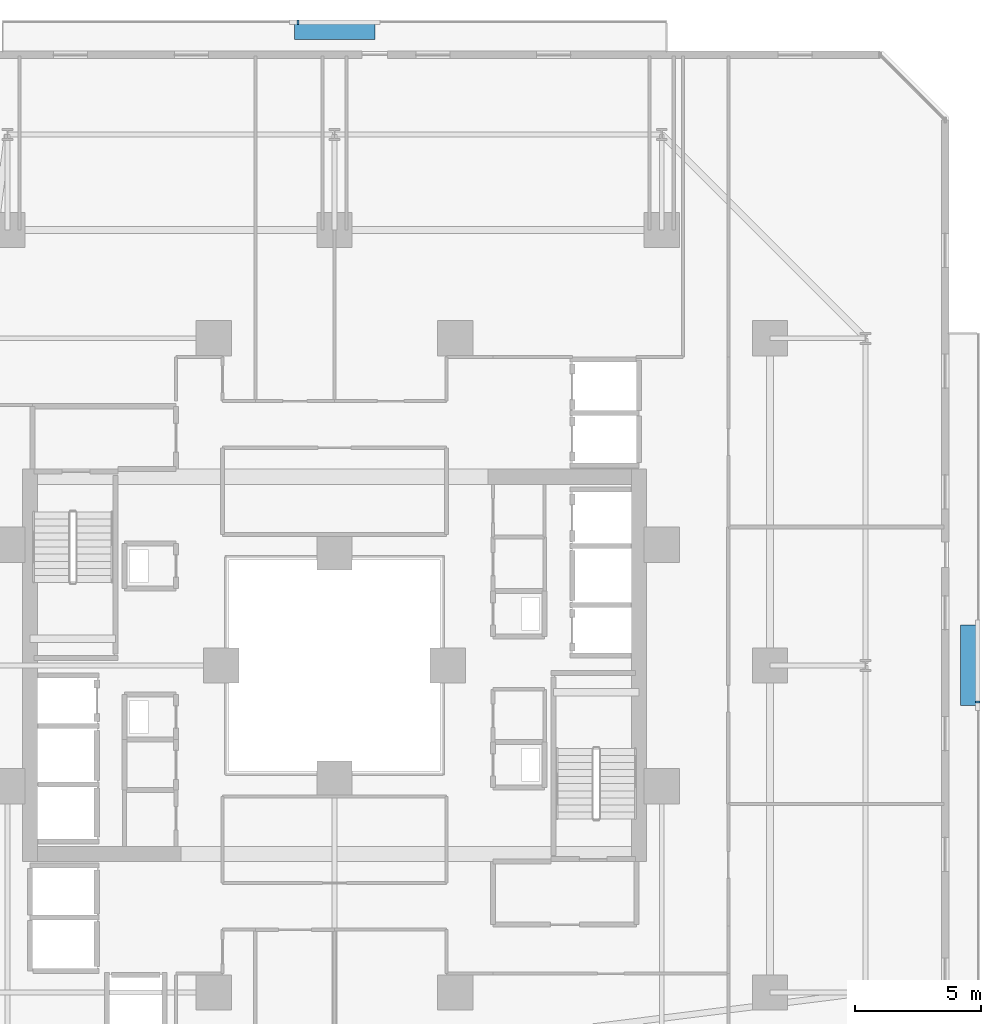
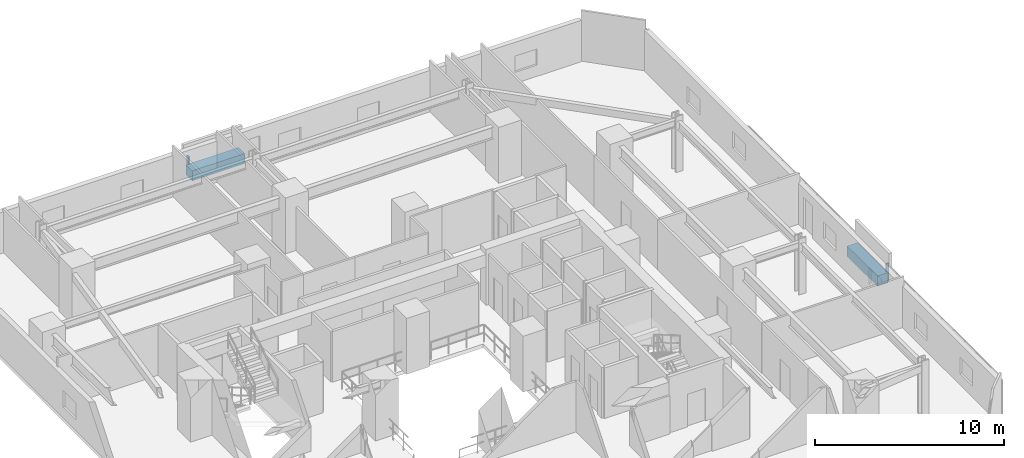
# One storey, part 32 of 36: 4 discrete accessories.
"""IFC4 building model written with IfcOpenShell, lengths in metres."""

from ifc_helpers import new_model, si_unit, direction, frame, origin, origin_2d, place, context, subcontext, project, spatial, rectangle, extrude, material, type_object, element, save


model = new_model("IFC4")

# Units and contexts
model_context = context("Model", 3, precision=1e-05, world=origin(), true_north=direction((0.0, 1.0)))
body_context = subcontext(model_context, "Body", "Model", "MODEL_VIEW")
ifc_project = project(units=[si_unit("LENGTHUNIT", "METRE"), si_unit("AREAUNIT", "SQUARE_METRE"), si_unit("VOLUMEUNIT", "CUBIC_METRE"), si_unit("PLANEANGLEUNIT", "RADIAN"), si_unit("MASSUNIT", "GRAM", prefix="KILO")], contexts=[model_context])

# Site, building, storey
site_placement = place(None, origin())
site = spatial("IfcSite", under=ifc_project, at=site_placement, CompositionType="ELEMENT")
building_placement = place(site_placement, origin())
building = spatial("IfcBuilding", under=site, at=building_placement, Name="Thornwick Lancets Civic Towers", CompositionType="ELEMENT")
storey_placement = place(building_placement, frame((0.0, 0.0, 68.10009765625)))
storey = spatial("IfcBuildingStorey", under=building, at=storey_placement, Name="L17", CompositionType="ELEMENT", Elevation=68.10009765625)

# Discrete accessories
ifc_material_1 = material(Name="Planted terracotta greenery planter", Category="masonry")
discrete_accessory_type_1 = type_object("IfcDiscreteAccessoryType", Name="ACC_PLANTER_BOX", PredefinedType="USERDEFINED", material=ifc_material_1)
discrete_accessory_1_placement = place(storey_placement, frame((113.699951171875, 27.0, 0.0), z_axis=(0.0, 0.0, 1.0), x_axis=(1.0, 0.0, 0.0)))
element("IfcDiscreteAccessory", 1, at=discrete_accessory_1_placement, inside=storey, type_object=discrete_accessory_type_1, Name="L17 Tower B Balcony Greenery Planter E", ObjectType="PLANTER", PredefinedType="USERDEFINED", context=body_context, shape_type="SweptSolid", body=[
    extrude(rectangle(XDim=0.64990234375, YDim=3.199951171875, at=origin_2d()), origin(), (0.0, 0.0, 1.0), 0.64990234375),
])
discrete_accessory_2_placement = place(storey_placement, frame((88.5, 52.199951171875, 0.0), z_axis=(0.0, 0.0, 1.0), x_axis=(1.0, 0.0, 0.0)))
element("IfcDiscreteAccessory", 2, at=discrete_accessory_2_placement, inside=storey, type_object=discrete_accessory_type_1, Name="L17 Tower B Balcony Greenery Planter N", ObjectType="PLANTER", PredefinedType="USERDEFINED", context=body_context, shape_type="SweptSolid", body=[
    extrude(rectangle(XDim=3.199951171875, YDim=0.64990234375, at=origin_2d()), origin(), (0.0, 0.0, 1.0), 0.64990234375),
])
ifc_material_2 = material(Name="Stainless steel S355", Category="steel")
discrete_accessory_type_2 = type_object("IfcDiscreteAccessoryType", Name="ACC_SCREEN_BRACKET", PredefinedType="BRACKET", material=ifc_material_2)
for number, where, z_axis, x_axis, name in (
    (3, (114.06005859375, 25.550048828125, 0.0), (0.0, 0.0, 1.0), (0.0, 1.0, 0.0), "L17 Tower B Balcony Screen Stanchion Bracket E-1"),
    (4, (87.050048828125, 52.56005859375, 0.0), (0.0, 0.0, 1.0), (1.0, 0.0, 0.0), "L17 Tower B Balcony Screen Stanchion Bracket N-1"),
):
    element("IfcDiscreteAccessory", number, at=place(storey_placement, frame(where, z_axis=z_axis, x_axis=x_axis)), inside=storey, type_object=discrete_accessory_type_2, Name=name, PredefinedType="BRACKET", context=body_context, shape_type="SweptSolid", body=[
        extrude(rectangle(XDim=0.080078125, YDim=0.179931640625, at=origin_2d()), origin(), (0.0, 0.0, 1.0), 1.14990234375),
    ])

save(model, "model.ifc")
